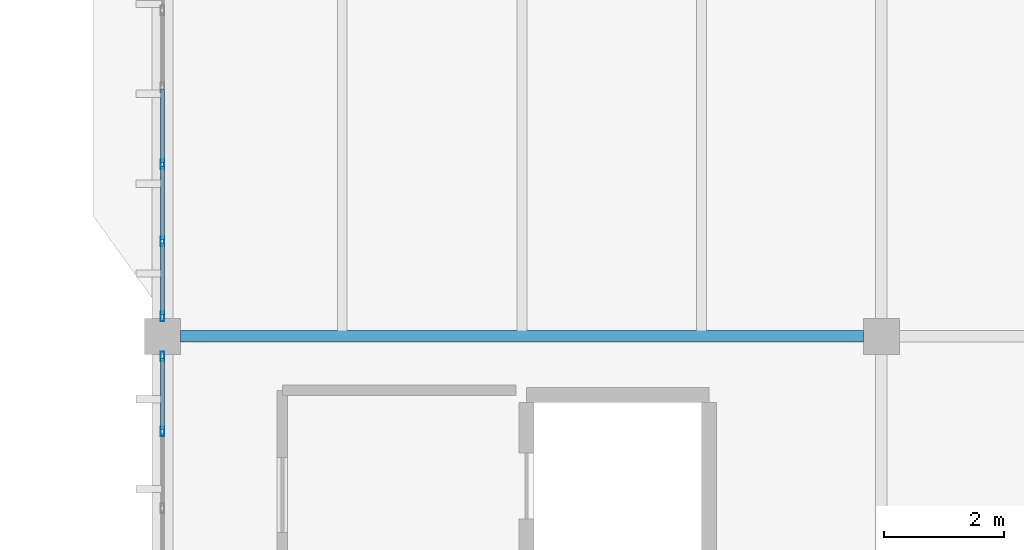
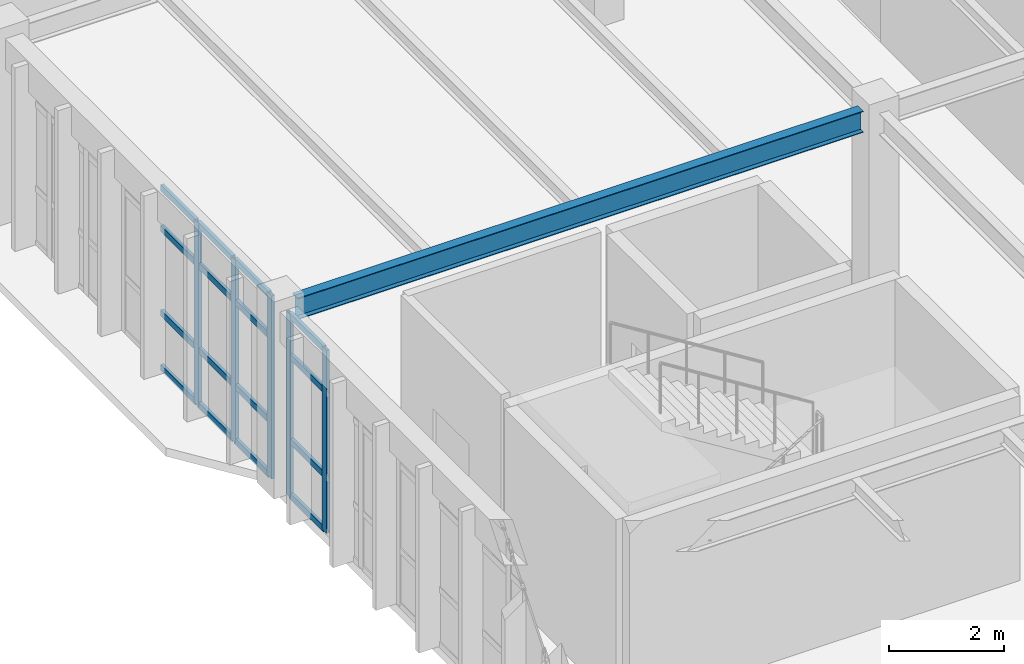
# One storey, part 39 of 83: 21 members, 1 beam, 2 elements without a shape of their own.
"""IFC4 building model written with IfcOpenShell, lengths in metres."""

from ifc_helpers import new_model, si_unit, direction, frame, origin, origin_2d, place, context, subcontext, project, spatial, hollow_rectangle, i_section, extrude, material, layer, layer_set, material_profile, profile_set, type_object, element, aggregate, save


model = new_model("IFC4")

# Units and contexts
model_context = context("Model", 3, precision=1e-05, world=origin(), true_north=direction((0.0, 1.0)))
body_context = subcontext(model_context, "Body", "Model", "MODEL_VIEW")
ifc_project = project(units=[si_unit("LENGTHUNIT", "METRE"), si_unit("AREAUNIT", "SQUARE_METRE"), si_unit("VOLUMEUNIT", "CUBIC_METRE"), si_unit("PLANEANGLEUNIT", "RADIAN"), si_unit("MASSUNIT", "GRAM", prefix="KILO")], contexts=[model_context])

# Site, building, storey
site_placement = place(None, origin())
site = spatial("IfcSite", under=ifc_project, at=site_placement, CompositionType="ELEMENT")
building_placement = place(site_placement, origin())
building = spatial("IfcBuilding", under=site, at=building_placement, Name="Pandanus Reach Market Hall", CompositionType="ELEMENT")
storey_placement = place(building_placement, frame((0.0, 0.0, 10.199951171875)))
storey = spatial("IfcBuildingStorey", under=building, at=storey_placement, Name="L02", CompositionType="ELEMENT", Elevation=10.199951171875)

# Beam
ifc_material_1 = material(Name="Steel Grade 350 (350 MPa)", Category="steel")
ifc_material_profile_1 = material_profile(ifc_material_1, i_section(OverallWidth=0.18994140625, OverallDepth=0.45703125, WebThickness=0.009033203125, FlangeThickness=0.014404296875, at=origin_2d()), Name="460UB74.6", Category="LoadBearing")
ifc_profile_set_1 = profile_set([ifc_material_profile_1], Name="Steel Grade 350 (350 MPa)")
beam_type = type_object("IfcBeamType", Name="BM-UB460-I", PredefinedType="BEAM", material=ifc_profile_set_1)
beam_placement = place(storey_placement, frame((144.298095703125, 57.60009765625, 3.72119140625), z_axis=(1.0, 0.0, 0.0), x_axis=(0.0, 1.0, 0.0)))
element("IfcBeam", 1, at=beam_placement, inside=storey, type_object=beam_type, Name="Framing beam BM-UB460-I L02.449", PredefinedType="BEAM", context=body_context, shape_type="SweptSolid", body=[
    extrude(i_section(OverallWidth=0.18994140625, OverallDepth=0.45703125, WebThickness=0.009033203125, FlangeThickness=0.014404296875, at=origin_2d()), origin(), (0.0, 0.0, 1.0), 11.40380859375),
])

# Curtain wall, members
ifc_material_2 = material(Name="Bronze anodised aluminium and low-E glass", Category="aluminium")
ifc_layer = layer(ifc_material_2, 0.159912109375, Name="CW-33")
ifc_layer_set = layer_set([ifc_layer], Name="Bronze anodised aluminium and low-E glass")
curtain_wall_type = type_object("IfcCurtainWallType", Name="CW-33", PredefinedType="NOTDEFINED", material=ifc_layer_set)
curtain_wall_1_placement = place(storey_placement, origin())
curtain_wall_1 = element("IfcCurtainWall", 2, at=curtain_wall_1_placement, inside=storey, type_object=curtain_wall_type, Name="Glazed curtain wall CW-33 CW-0112", PredefinedType="NOTDEFINED")
ifc_material_3 = material(Name="Bronze anodised aluminium", Category="aluminium")
ifc_material_profile_2 = material_profile(ifc_material_3, hollow_rectangle(XDim=0.06494140625, YDim=0.159912109375, WallThickness=0.00390625, at=origin_2d()), Name="ALU65x160", Category="LoadBearing")
ifc_profile_set_2 = profile_set([ifc_material_profile_2], Name="Bronze anodised aluminium")
member_type_1 = type_object("IfcMemberType", Name="CW-M1", PredefinedType="MULLION", material=ifc_profile_set_2)
member_1_placement = place(storey_placement, frame((144.0, 56.014404296875, 0.0), z_axis=(0.0, 0.0, 1.0), x_axis=(-1.0, 0.0, 0.0)))
member_1 = element("IfcMember", 3, at=member_1_placement, type_object=member_type_1, Name="CW-33 mullion 7", PredefinedType="MULLION", context=body_context, shape_type="SweptSolid", body=[
    extrude(hollow_rectangle(XDim=0.06494140625, YDim=0.159912109375, WallThickness=0.00390625, at=origin_2d()), origin(), (0.0, 0.0, 1.0), 3.900146484375),
])
member_2_placement = place(storey_placement, frame((144.0, 57.267578125, 0.0), z_axis=(0.0, 0.0, 1.0), x_axis=(-1.0, 0.0, 0.0)))
member_2 = element("IfcMember", 4, at=member_2_placement, type_object=member_type_1, Name="CW-33 mullion 8", PredefinedType="MULLION", context=body_context, shape_type="SweptSolid", body=[
    extrude(hollow_rectangle(XDim=0.06494140625, YDim=0.159912109375, WallThickness=0.00390625, at=origin_2d()), origin(), (0.0, 0.0, 1.0), 3.900146484375),
])

curtain_wall_2_placement = place(storey_placement, origin())
curtain_wall_2 = element("IfcCurtainWall", 5, at=curtain_wall_2_placement, inside=storey, type_object=curtain_wall_type, Name="Glazed curtain wall CW-33 CW-0113", PredefinedType="NOTDEFINED")
member_3_placement = place(storey_placement, frame((144.0, 57.9326171875, 0.0), z_axis=(0.0, 0.0, 1.0), x_axis=(-1.0, 0.0, 0.0)))
member_3 = element("IfcMember", 6, at=member_3_placement, type_object=member_type_1, Name="CW-33 mullion 1", PredefinedType="MULLION", context=body_context, shape_type="SweptSolid", body=[
    extrude(hollow_rectangle(XDim=0.06494140625, YDim=0.159912109375, WallThickness=0.00390625, at=origin_2d()), origin(), (0.0, 0.0, 1.0), 3.900146484375),
])
member_4_placement = place(storey_placement, frame((144.0, 59.185791015625, 0.0), z_axis=(0.0, 0.0, 1.0), x_axis=(-1.0, 0.0, 0.0)))
member_4 = element("IfcMember", 7, at=member_4_placement, type_object=member_type_1, Name="CW-33 mullion 2", PredefinedType="MULLION", context=body_context, shape_type="SweptSolid", body=[
    extrude(hollow_rectangle(XDim=0.06494140625, YDim=0.159912109375, WallThickness=0.00390625, at=origin_2d()), origin(), (0.0, 0.0, 1.0), 3.900146484375),
])
member_5_placement = place(storey_placement, frame((144.0, 60.471435546875, 0.0), z_axis=(0.0, 0.0, 1.0), x_axis=(-1.0, 0.0, 0.0)))
member_5 = element("IfcMember", 8, at=member_5_placement, type_object=member_type_1, Name="CW-33 mullion 3", PredefinedType="MULLION", context=body_context, shape_type="SweptSolid", body=[
    extrude(hollow_rectangle(XDim=0.06494140625, YDim=0.159912109375, WallThickness=0.00390625, at=origin_2d()), origin(), (0.0, 0.0, 1.0), 3.900146484375),
])

# Member
ifc_material_profile_3 = material_profile(ifc_material_3, hollow_rectangle(XDim=0.06494140625, YDim=0.1298828125, WallThickness=0.00390625, at=origin_2d()), Name="ALU65x130", Category="LoadBearing")
ifc_profile_set_3 = profile_set([ifc_material_profile_3], Name="Bronze anodised aluminium")
member_type_2 = type_object("IfcMemberType", Name="CW-T1", PredefinedType="USERDEFINED", material=ifc_profile_set_3)
member_6_placement = place(storey_placement, frame((144.0, 56.046875, 0.032470703125), z_axis=(0.0, 1.0, 0.0), x_axis=(-1.0, 0.0, 0.0)))
member_6 = element("IfcMember", 9, at=member_6_placement, type_object=member_type_2, Name="CW-33 transom 7.1", ObjectType="TRANSOM", PredefinedType="USERDEFINED", context=body_context, shape_type="SweptSolid", body=[
    extrude(hollow_rectangle(XDim=0.06494140625, YDim=0.1298828125, WallThickness=0.00390625, at=origin_2d()), origin(), (0.0, 0.0, 1.0), 1.188232421875),
])

member_7_placement = place(storey_placement, frame((144.0, 56.046875, 1.199951171875), z_axis=(0.0, 1.0, 0.0), x_axis=(-1.0, 0.0, 0.0)))
member_7 = element("IfcMember", 10, at=member_7_placement, type_object=member_type_2, Name="CW-33 transom 7.2", ObjectType="TRANSOM", PredefinedType="USERDEFINED", context=body_context, shape_type="SweptSolid", body=[
    extrude(hollow_rectangle(XDim=0.06494140625, YDim=0.1298828125, WallThickness=0.00390625, at=origin_2d()), origin(), (0.0, 0.0, 1.0), 1.188232421875),
])

member_8_placement = place(storey_placement, frame((144.0, 56.046875, 3.0), z_axis=(0.0, 1.0, 0.0), x_axis=(-1.0, 0.0, 0.0)))
member_8 = element("IfcMember", 11, at=member_8_placement, type_object=member_type_2, Name="CW-33 transom 7.3", ObjectType="TRANSOM", PredefinedType="USERDEFINED", context=body_context, shape_type="SweptSolid", body=[
    extrude(hollow_rectangle(XDim=0.06494140625, YDim=0.1298828125, WallThickness=0.00390625, at=origin_2d()), origin(), (0.0, 0.0, 1.0), 1.188232421875),
])

member_9_placement = place(storey_placement, frame((144.0, 56.046875, 3.867431640625), z_axis=(0.0, 1.0, 0.0), x_axis=(-1.0, 0.0, 0.0)))
member_9 = element("IfcMember", 12, at=member_9_placement, type_object=member_type_2, Name="CW-33 transom 7.4", ObjectType="TRANSOM", PredefinedType="USERDEFINED", context=body_context, shape_type="SweptSolid", body=[
    extrude(hollow_rectangle(XDim=0.06494140625, YDim=0.1298828125, WallThickness=0.00390625, at=origin_2d()), origin(), (0.0, 0.0, 1.0), 1.188232421875),
])

aggregate(curtain_wall_1, [member_1, member_2, member_6, member_7, member_8, member_9])

member_10_placement = place(storey_placement, frame((144.0, 57.965087890625, 0.032470703125), z_axis=(0.0, 1.0, 0.0), x_axis=(-1.0, 0.0, 0.0)))
member_10 = element("IfcMember", 13, at=member_10_placement, type_object=member_type_2, Name="CW-33 transom 1.1", ObjectType="TRANSOM", PredefinedType="USERDEFINED", context=body_context, shape_type="SweptSolid", body=[
    extrude(hollow_rectangle(XDim=0.06494140625, YDim=0.1298828125, WallThickness=0.00390625, at=origin_2d()), origin(), (0.0, 0.0, 1.0), 1.188232421875),
])

member_11_placement = place(storey_placement, frame((144.0, 57.965087890625, 1.199951171875), z_axis=(0.0, 1.0, 0.0), x_axis=(-1.0, 0.0, 0.0)))
member_11 = element("IfcMember", 14, at=member_11_placement, type_object=member_type_2, Name="CW-33 transom 1.2", ObjectType="TRANSOM", PredefinedType="USERDEFINED", context=body_context, shape_type="SweptSolid", body=[
    extrude(hollow_rectangle(XDim=0.06494140625, YDim=0.1298828125, WallThickness=0.00390625, at=origin_2d()), origin(), (0.0, 0.0, 1.0), 1.188232421875),
])

member_12_placement = place(storey_placement, frame((144.0, 57.965087890625, 3.0), z_axis=(0.0, 1.0, 0.0), x_axis=(-1.0, 0.0, 0.0)))
member_12 = element("IfcMember", 15, at=member_12_placement, type_object=member_type_2, Name="CW-33 transom 1.3", ObjectType="TRANSOM", PredefinedType="USERDEFINED", context=body_context, shape_type="SweptSolid", body=[
    extrude(hollow_rectangle(XDim=0.06494140625, YDim=0.1298828125, WallThickness=0.00390625, at=origin_2d()), origin(), (0.0, 0.0, 1.0), 1.188232421875),
])

member_13_placement = place(storey_placement, frame((144.0, 57.965087890625, 3.867431640625), z_axis=(0.0, 1.0, 0.0), x_axis=(-1.0, 0.0, 0.0)))
member_13 = element("IfcMember", 16, at=member_13_placement, type_object=member_type_2, Name="CW-33 transom 1.4", ObjectType="TRANSOM", PredefinedType="USERDEFINED", context=body_context, shape_type="SweptSolid", body=[
    extrude(hollow_rectangle(XDim=0.06494140625, YDim=0.1298828125, WallThickness=0.00390625, at=origin_2d()), origin(), (0.0, 0.0, 1.0), 1.188232421875),
])

member_14_placement = place(storey_placement, frame((144.0, 59.21826171875, 0.032470703125), z_axis=(0.0, 1.0, 0.0), x_axis=(-1.0, 0.0, 0.0)))
member_14 = element("IfcMember", 17, at=member_14_placement, type_object=member_type_2, Name="CW-33 transom 2.1", ObjectType="TRANSOM", PredefinedType="USERDEFINED", context=body_context, shape_type="SweptSolid", body=[
    extrude(hollow_rectangle(XDim=0.06494140625, YDim=0.1298828125, WallThickness=0.00390625, at=origin_2d()), origin(), (0.0, 0.0, 1.0), 1.220703125),
])

member_15_placement = place(storey_placement, frame((144.0, 59.21826171875, 1.199951171875), z_axis=(0.0, 1.0, 0.0), x_axis=(-1.0, 0.0, 0.0)))
member_15 = element("IfcMember", 18, at=member_15_placement, type_object=member_type_2, Name="CW-33 transom 2.2", ObjectType="TRANSOM", PredefinedType="USERDEFINED", context=body_context, shape_type="SweptSolid", body=[
    extrude(hollow_rectangle(XDim=0.06494140625, YDim=0.1298828125, WallThickness=0.00390625, at=origin_2d()), origin(), (0.0, 0.0, 1.0), 1.220703125),
])

member_16_placement = place(storey_placement, frame((144.0, 59.21826171875, 3.0), z_axis=(0.0, 1.0, 0.0), x_axis=(-1.0, 0.0, 0.0)))
member_16 = element("IfcMember", 19, at=member_16_placement, type_object=member_type_2, Name="CW-33 transom 2.3", ObjectType="TRANSOM", PredefinedType="USERDEFINED", context=body_context, shape_type="SweptSolid", body=[
    extrude(hollow_rectangle(XDim=0.06494140625, YDim=0.1298828125, WallThickness=0.00390625, at=origin_2d()), origin(), (0.0, 0.0, 1.0), 1.220703125),
])

member_17_placement = place(storey_placement, frame((144.0, 59.21826171875, 3.867431640625), z_axis=(0.0, 1.0, 0.0), x_axis=(-1.0, 0.0, 0.0)))
member_17 = element("IfcMember", 20, at=member_17_placement, type_object=member_type_2, Name="CW-33 transom 2.4", ObjectType="TRANSOM", PredefinedType="USERDEFINED", context=body_context, shape_type="SweptSolid", body=[
    extrude(hollow_rectangle(XDim=0.06494140625, YDim=0.1298828125, WallThickness=0.00390625, at=origin_2d()), origin(), (0.0, 0.0, 1.0), 1.220703125),
])

member_18_placement = place(storey_placement, frame((144.0, 60.50390625, 0.032470703125), z_axis=(0.0, 1.0, 0.0), x_axis=(-1.0, 0.0, 0.0)))
member_18 = element("IfcMember", 21, at=member_18_placement, type_object=member_type_2, Name="CW-33 transom 3.1", ObjectType="TRANSOM", PredefinedType="USERDEFINED", context=body_context, shape_type="SweptSolid", body=[
    extrude(hollow_rectangle(XDim=0.06494140625, YDim=0.1298828125, WallThickness=0.00390625, at=origin_2d()), origin(), (0.0, 0.0, 1.0), 1.220703125),
])

member_19_placement = place(storey_placement, frame((144.0, 60.50390625, 1.199951171875), z_axis=(0.0, 1.0, 0.0), x_axis=(-1.0, 0.0, 0.0)))
member_19 = element("IfcMember", 22, at=member_19_placement, type_object=member_type_2, Name="CW-33 transom 3.2", ObjectType="TRANSOM", PredefinedType="USERDEFINED", context=body_context, shape_type="SweptSolid", body=[
    extrude(hollow_rectangle(XDim=0.06494140625, YDim=0.1298828125, WallThickness=0.00390625, at=origin_2d()), origin(), (0.0, 0.0, 1.0), 1.220703125),
])

member_20_placement = place(storey_placement, frame((144.0, 60.50390625, 3.0), z_axis=(0.0, 1.0, 0.0), x_axis=(-1.0, 0.0, 0.0)))
member_20 = element("IfcMember", 23, at=member_20_placement, type_object=member_type_2, Name="CW-33 transom 3.3", ObjectType="TRANSOM", PredefinedType="USERDEFINED", context=body_context, shape_type="SweptSolid", body=[
    extrude(hollow_rectangle(XDim=0.06494140625, YDim=0.1298828125, WallThickness=0.00390625, at=origin_2d()), origin(), (0.0, 0.0, 1.0), 1.220703125),
])

member_21_placement = place(storey_placement, frame((144.0, 60.50390625, 3.867431640625), z_axis=(0.0, 1.0, 0.0), x_axis=(-1.0, 0.0, 0.0)))
member_21 = element("IfcMember", 24, at=member_21_placement, type_object=member_type_2, Name="CW-33 transom 3.4", ObjectType="TRANSOM", PredefinedType="USERDEFINED", context=body_context, shape_type="SweptSolid", body=[
    extrude(hollow_rectangle(XDim=0.06494140625, YDim=0.1298828125, WallThickness=0.00390625, at=origin_2d()), origin(), (0.0, 0.0, 1.0), 1.220703125),
])

aggregate(curtain_wall_2, [member_3, member_4, member_5, member_10, member_11, member_12, member_13, member_14, member_15, member_16, member_17, member_18, member_19, member_20, member_21])

save(model, "model.ifc")
